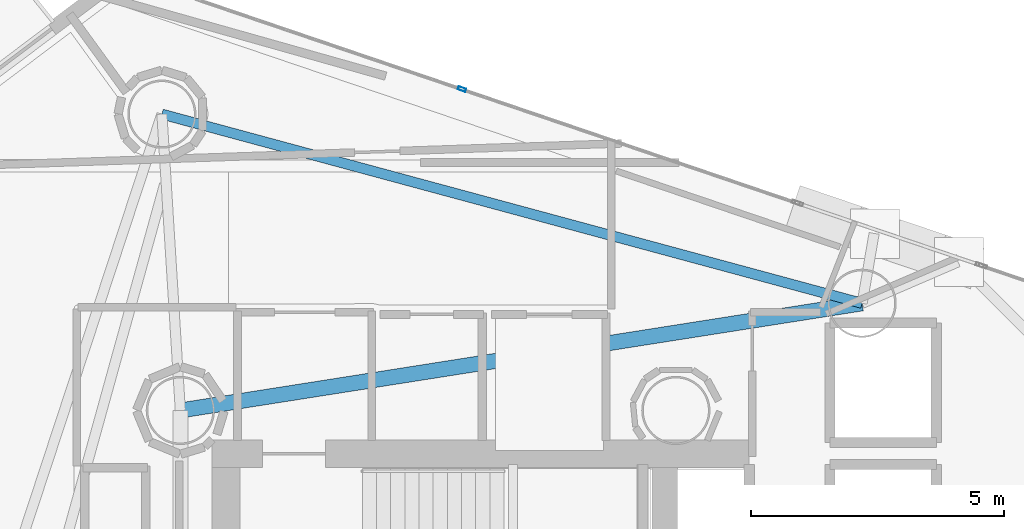
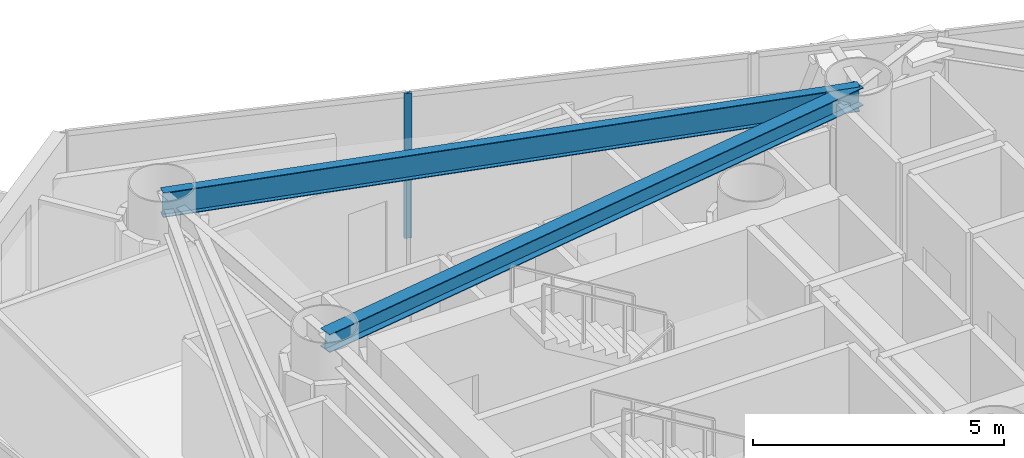
# One storey, part 12 of 22: 2 beams, 1 member, 1 element without a shape of its own.
"""IFC4 building model written with IfcOpenShell, lengths in metres."""

from ifc_helpers import new_model, si_unit, direction, frame, origin, origin_2d, place, context, subcontext, project, spatial, hollow_rectangle, i_section, extrude, material, layer, layer_set, material_profile, profile_set, type_object, element, aggregate, save


model = new_model("IFC4")

# Units and contexts
model_context = context("Model", 3, precision=1e-05, world=origin(), true_north=direction((0.0, 1.0)))
body_context = subcontext(model_context, "Body", "Model", "MODEL_VIEW")
ifc_project = project(units=[si_unit("LENGTHUNIT", "METRE"), si_unit("AREAUNIT", "SQUARE_METRE"), si_unit("VOLUMEUNIT", "CUBIC_METRE"), si_unit("PLANEANGLEUNIT", "RADIAN"), si_unit("MASSUNIT", "GRAM", prefix="KILO")], contexts=[model_context])

# Site, building, storey
site_placement = place(None, origin())
site = spatial("IfcSite", under=ifc_project, at=site_placement, CompositionType="ELEMENT")
building_placement = place(site_placement, origin())
building = spatial("IfcBuilding", under=site, at=building_placement, Name="Qianvela Tower", CompositionType="ELEMENT")
storey_placement = place(building_placement, frame((0.0, 0.0, 169.800048828125)))
storey = spatial("IfcBuildingStorey", under=building, at=storey_placement, Name="L43", CompositionType="ELEMENT", Elevation=169.800048828125)

# Beams
ifc_material_1 = material(Name="Steel Q355B", Category="steel")
ifc_material_profile_1 = material_profile(ifc_material_1, i_section(OverallWidth=0.300048828125, OverallDepth=0.43994140625, WebThickness=0.010986328125, FlangeThickness=0.01806640625, at=origin_2d()), Name="HM440x300x11x18")
ifc_profile_set_1 = profile_set([ifc_material_profile_1], Name="Steel Q355B")
beam_type_1 = type_object("IfcBeamType", Name="BM-HM440-COLL", PredefinedType="BEAM", material=ifc_profile_set_1)
beam_1_placement = place(storey_placement, frame((28.60009765625, 33.550048828125, 3.2978515625), z_axis=(0.98787540104, 0.155248806823, 0.0), x_axis=(-0.155248806823, 0.98787540104, 0.0)))
element("IfcBeam", 1, at=beam_1_placement, inside=storey, type_object=beam_type_1, Name="L43 Perimeter Ring Tie Girder 1B", PredefinedType="BEAM", context=body_context, shape_type="SweptSolid", body=[
    extrude(i_section(OverallWidth=0.300048828125, OverallDepth=0.43994140625, WebThickness=0.010986328125, FlangeThickness=0.01806640625, at=origin_2d()), origin(), (0.0, 0.0, 1.0), 13.6484375),
])
ifc_material_2 = material(Name="Steel Q355B", Category="steel")
ifc_material_profile_2 = material_profile(ifc_material_2, i_section(OverallWidth=0.199951171875, OverallDepth=0.60009765625, WebThickness=0.010986328125, FlangeThickness=0.01708984375, at=origin_2d()), Name="HN600x200x11x17")
ifc_profile_set_2 = profile_set([ifc_material_profile_2], Name="Steel Q355B")
beam_type_2 = type_object("IfcBeamType", Name="BM-HN600-GIRD", PredefinedType="BEAM", material=ifc_profile_set_2)
beam_2_placement = place(storey_placement, frame((42.0830078125, 35.6689453125, 3.218017578125), z_axis=(-0.965376252239, 0.260861441407, 0.0), x_axis=(-0.260861441407, -0.965376252239, 0.0)))
element("IfcBeam", 2, at=beam_2_placement, inside=storey, type_object=beam_type_2, Name="L43 Perimeter Ring Spandrel Girder 2", PredefinedType="BEAM", context=body_context, shape_type="SweptSolid", body=[
    extrude(i_section(OverallWidth=0.199951171875, OverallDepth=0.60009765625, WebThickness=0.010986328125, FlangeThickness=0.01708984375, at=origin_2d()), origin(), (0.0, 0.0, 1.0), 14.344482421875),
])

# Curtain wall, member
ifc_material_3 = material(Name="Anodised Architectural Aluminium and Low-E Glass", Category="aluminium")
ifc_layer = layer(ifc_material_3, 0.169921875)
ifc_layer_set = layer_set([ifc_layer], Name="Anodised Architectural Aluminium and Low-E Glass")
curtain_wall_type = type_object("IfcCurtainWallType", Name="CW-COLIV-Z34", PredefinedType="USERDEFINED", material=ifc_layer_set)
curtain_wall_placement = place(storey_placement, origin())
curtain_wall = element("IfcCurtainWall", 3, at=curtain_wall_placement, inside=storey, type_object=curtain_wall_type, Name="L43 CW-COLIV-Z34 Curtain Wall 02C", ObjectType="CURTAIN_WALL_SYSTEM", PredefinedType="USERDEFINED")
ifc_material_4 = material(Name="Anodised Architectural Aluminium 6063-T6", Category="aluminium")
ifc_material_profile_3 = material_profile(ifc_material_4, hollow_rectangle(XDim=0.06494140625, YDim=0.159912109375, WallThickness=0.0048828125, at=origin_2d()), Name="ALU-MULL-65x160")
ifc_profile_set_3 = profile_set([ifc_material_profile_3], Name="Anodised Architectural Aluminium 6063-T6")
member_type = type_object("IfcMemberType", Name="CW-COLIV-Z34-MULL", PredefinedType="MULLION", material=ifc_profile_set_3)
member_placement = place(storey_placement, frame((34.168212890625, 39.904052734375, 0.0), z_axis=(0.0, 0.0, 1.0), x_axis=(-0.321484175751, -0.946914951166, 0.0)))
member = element("IfcMember", 4, at=member_placement, type_object=member_type, Name="CW-4 mullion 2", PredefinedType="MULLION", context=body_context, shape_type="SweptSolid", body=[
    extrude(hollow_rectangle(XDim=0.06494140625, YDim=0.159912109375, WallThickness=0.0048828125, at=origin_2d()), origin(), (0.0, 0.0, 1.0), 3.52001953125),
])
aggregate(curtain_wall, [member])

save(model, "model.ifc")
